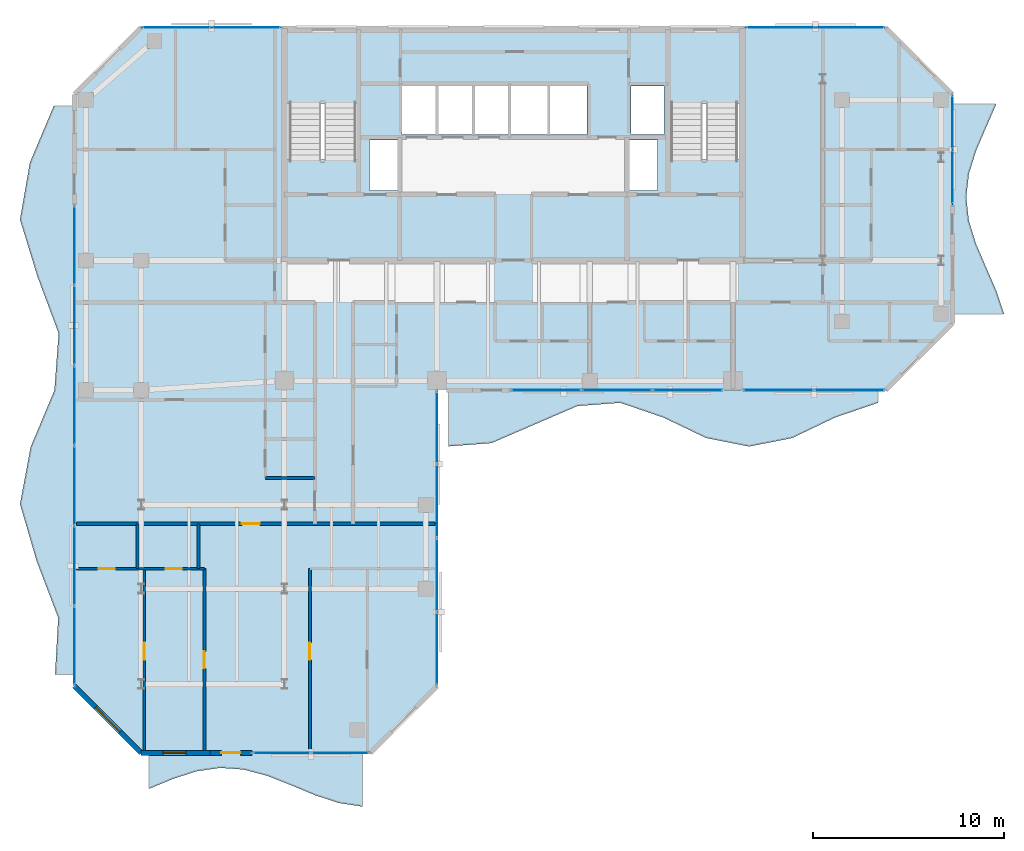
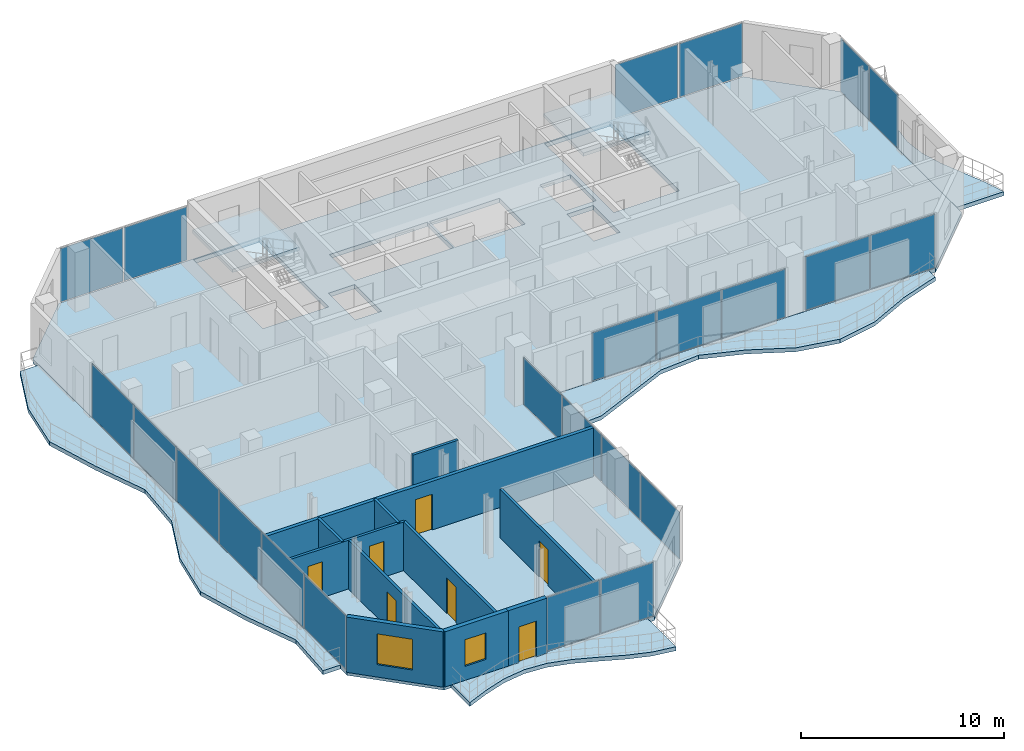
# One storey, part 17 of 24: 23 plates, 11 walls, 7 doors, 7 slabs, 2 windows, 9 openings, 10 elements without a shape of their own.
"""IFC4 building model written with IfcOpenShell, lengths in metres."""

from ifc_helpers import new_model, si_unit, direction, frame, frame_2d, origin, origin_2d, place, context, subcontext, project, spatial, polyline, rectangle, outline, extrude, material, layer, layer_set, type_object, element, fill, aggregate, save


model = new_model("IFC4")

# Units and contexts
model_context = context("Model", 3, precision=1e-05, world=origin(), true_north=direction((0.0, 1.0)))
body_context = subcontext(model_context, "Body", "Model", "MODEL_VIEW")
ifc_project = project(units=[si_unit("LENGTHUNIT", "METRE"), si_unit("AREAUNIT", "SQUARE_METRE"), si_unit("VOLUMEUNIT", "CUBIC_METRE"), si_unit("PLANEANGLEUNIT", "RADIAN"), si_unit("MASSUNIT", "GRAM", prefix="KILO")], contexts=[model_context])

# Site, building, storey
site_placement = place(None, origin())
site = spatial("IfcSite", under=ifc_project, at=site_placement, CompositionType="ELEMENT")
building_placement = place(site_placement, origin())
building = spatial("IfcBuilding", under=site, at=building_placement, Name="Catumbela Crestline Tower", CompositionType="ELEMENT")
storey_placement = place(building_placement, frame((0.0, 0.0, 161.4)))
storey = spatial("IfcBuildingStorey", under=building, at=storey_placement, Name="L41", CompositionType="ELEMENT", Elevation=161.4)

# Curtain wall, plates
ifc_material_1 = material(Name="Aluminium alloy AW-6060-T66", Category="aluminium")
ifc_layer_1 = layer(ifc_material_1, 0.18, Name="Aluminium alloy AW-6060-T66")
ifc_layer_set_1 = layer_set([ifc_layer_1], Name="Aluminium alloy AW-6060-T66")
curtain_wall_type = type_object("IfcCurtainWallType", Name="CWU-Z3", PredefinedType="USERDEFINED", material=ifc_layer_set_1)
curtain_wall_1_placement = place(storey_placement, origin())
curtain_wall_1 = element("IfcCurtainWall", 1, at=curtain_wall_1_placement, inside=storey, type_object=curtain_wall_type, Name="L41 Unitised Curtain Wall CW-L41-E0S2", ObjectType="UNITISED", PredefinedType="USERDEFINED")
ifc_material_2 = material(Name="Low-E laminated solar-control double glazing", Category="glass")
ifc_layer_2 = layer(ifc_material_2, 0.036, Name="Low-E laminated solar-control double glazing")
ifc_layer_set_2 = layer_set([ifc_layer_2], Name="Low-E laminated solar-control double glazing")
plate_type = type_object("IfcPlateType", Name="PNL-GLZ-Z3", PredefinedType="CURTAIN_PANEL", material=ifc_layer_set_2)
plate_1_placement = place(storey_placement, frame((15.8662, 5.0, 0.06), z_axis=(0.0, 0.0, 1.0), x_axis=(1.0, 0.0, 0.0)))
plate_1 = element("IfcPlate", 2, at=plate_1_placement, type_object=plate_type, Name="CWU-Z3 panel 1.1", PredefinedType="CURTAIN_PANEL", context=body_context, shape_type="SweptSolid", body=[
    extrude(rectangle(XDim=3.0025, YDim=0.034, at=origin_2d()), origin(), (0.0, 0.0, 1.0), 3.21),
])
plate_2_placement = place(storey_placement, frame((18.9338, 5.0, 0.06), z_axis=(0.0, 0.0, 1.0), x_axis=(1.0, 0.0, 0.0)))
plate_2 = element("IfcPlate", 3, at=plate_2_placement, type_object=plate_type, Name="CWU-Z3 panel 2.1", PredefinedType="CURTAIN_PANEL", context=body_context, shape_type="SweptSolid", body=[
    extrude(rectangle(XDim=3.0025, YDim=0.034, at=origin_2d()), origin(), (0.0, 0.0, 1.0), 3.21),
])
aggregate(curtain_wall_1, [plate_1, plate_2])

curtain_wall_2_placement = place(storey_placement, origin())
curtain_wall_2 = element("IfcCurtainWall", 4, at=curtain_wall_2_placement, inside=storey, type_object=curtain_wall_type, Name="L41 Unitised Curtain Wall CW-L41-E2S1", ObjectType="UNITISED", PredefinedType="USERDEFINED")
plate_3_placement = place(storey_placement, frame((24.0, 10.4538, 0.06), z_axis=(0.0, 0.0, 1.0), x_axis=(0.0, 1.0, 0.0)))
plate_3 = element("IfcPlate", 5, at=plate_3_placement, type_object=plate_type, Name="CWU-Z3 panel 1.1", PredefinedType="CURTAIN_PANEL", context=body_context, shape_type="SweptSolid", body=[
    extrude(rectangle(XDim=3.7775, YDim=0.034, at=origin_2d()), origin(), (0.0, 0.0, 1.0), 2.81),
])
plate_4_placement = place(storey_placement, frame((24.0, 14.3125, 0.06), z_axis=(0.0, 0.0, 1.0), x_axis=(0.0, 1.0, 0.0)))
plate_4 = element("IfcPlate", 6, at=plate_4_placement, type_object=plate_type, Name="CWU-Z3 panel 2.1", PredefinedType="CURTAIN_PANEL", context=body_context, shape_type="SweptSolid", body=[
    extrude(rectangle(XDim=3.81, YDim=0.034, at=origin_2d()), origin(), (0.0, 0.0, 1.0), 2.81),
])
plate_5_placement = place(storey_placement, frame((24.0, 18.1875, 0.06), z_axis=(0.0, 0.0, 1.0), x_axis=(0.0, 1.0, 0.0)))
plate_5 = element("IfcPlate", 7, at=plate_5_placement, type_object=plate_type, Name="CWU-Z3 panel 3.1", PredefinedType="CURTAIN_PANEL", context=body_context, shape_type="SweptSolid", body=[
    extrude(rectangle(XDim=3.81, YDim=0.034, at=origin_2d()), origin(), (0.0, 0.0, 1.0), 2.81),
])
plate_6_placement = place(storey_placement, frame((24.0, 22.0462, 0.06), z_axis=(0.0, 0.0, 1.0), x_axis=(0.0, 1.0, 0.0)))
plate_6 = element("IfcPlate", 8, at=plate_6_placement, type_object=plate_type, Name="CWU-Z3 panel 4.1", PredefinedType="CURTAIN_PANEL", context=body_context, shape_type="SweptSolid", body=[
    extrude(rectangle(XDim=3.7775, YDim=0.034, at=origin_2d()), origin(), (0.0, 0.0, 1.0), 2.81),
])
aggregate(curtain_wall_2, [plate_3, plate_4, plate_5, plate_6])

curtain_wall_3_placement = place(storey_placement, origin())
curtain_wall_3 = element("IfcCurtainWall", 9, at=curtain_wall_3_placement, inside=storey, type_object=curtain_wall_type, Name="L41 Unitised Curtain Wall CW-L41-E3S2", ObjectType="UNITISED", PredefinedType="USERDEFINED")
plate_7_placement = place(storey_placement, frame((29.7246, 24.0, 0.06), z_axis=(0.0, 0.0, 1.0), x_axis=(1.0, 0.0, 0.0)))
plate_7 = element("IfcPlate", 10, at=plate_7_placement, type_object=plate_type, Name="CWU-Z3 panel 1.1", PredefinedType="CURTAIN_PANEL", context=body_context, shape_type="SweptSolid", body=[
    extrude(rectangle(XDim=3.6192, YDim=0.034, at=origin_2d()), origin(), (0.0, 0.0, 1.0), 2.89),
])
plate_8_placement = place(storey_placement, frame((33.425, 24.0, 0.06), z_axis=(0.0, 0.0, 1.0), x_axis=(1.0, 0.0, 0.0)))
plate_8 = element("IfcPlate", 11, at=plate_8_placement, type_object=plate_type, Name="CWU-Z3 panel 2.1", PredefinedType="CURTAIN_PANEL", context=body_context, shape_type="SweptSolid", body=[
    extrude(rectangle(XDim=3.6517, YDim=0.034, at=origin_2d()), origin(), (0.0, 0.0, 1.0), 2.89),
])
plate_9_placement = place(storey_placement, frame((37.1254, 24.0, 0.06), z_axis=(0.0, 0.0, 1.0), x_axis=(1.0, 0.0, 0.0)))
plate_9 = element("IfcPlate", 12, at=plate_9_placement, type_object=plate_type, Name="CWU-Z3 panel 3.1", PredefinedType="CURTAIN_PANEL", context=body_context, shape_type="SweptSolid", body=[
    extrude(rectangle(XDim=3.6192, YDim=0.034, at=origin_2d()), origin(), (0.0, 0.0, 1.0), 2.89),
])
aggregate(curtain_wall_3, [plate_7, plate_8, plate_9])

curtain_wall_4_placement = place(storey_placement, origin())
curtain_wall_4 = element("IfcCurtainWall", 13, at=curtain_wall_4_placement, inside=storey, type_object=curtain_wall_type, Name="L41 Unitised Curtain Wall CW-L41-E3S3", ObjectType="UNITISED", PredefinedType="USERDEFINED")
plate_10_placement = place(storey_placement, frame((41.8912, 24.0, 0.06), z_axis=(0.0, 0.0, 1.0), x_axis=(1.0, 0.0, 0.0)))
plate_10 = element("IfcPlate", 14, at=plate_10_placement, type_object=plate_type, Name="CWU-Z3 panel 1.1", PredefinedType="CURTAIN_PANEL", context=body_context, shape_type="SweptSolid", body=[
    extrude(rectangle(XDim=3.6525, YDim=0.034, at=origin_2d()), origin(), (0.0, 0.0, 1.0), 3.21),
])
plate_11_placement = place(storey_placement, frame((45.6088, 24.0, 0.06), z_axis=(0.0, 0.0, 1.0), x_axis=(1.0, 0.0, 0.0)))
plate_11 = element("IfcPlate", 15, at=plate_11_placement, type_object=plate_type, Name="CWU-Z3 panel 2.1", PredefinedType="CURTAIN_PANEL", context=body_context, shape_type="SweptSolid", body=[
    extrude(rectangle(XDim=3.6525, YDim=0.034, at=origin_2d()), origin(), (0.0, 0.0, 1.0), 3.21),
])
aggregate(curtain_wall_4, [plate_10, plate_11])

curtain_wall_5_placement = place(storey_placement, origin())
curtain_wall_5 = element("IfcCurtainWall", 16, at=curtain_wall_5_placement, inside=storey, type_object=curtain_wall_type, Name="L41 Unitised Curtain Wall CW-L41-E5S2", ObjectType="UNITISED", PredefinedType="USERDEFINED")
plate_12_placement = place(storey_placement, frame((51.0, 35.1662, 0.06), z_axis=(0.0, 0.0, 1.0), x_axis=(0.0, 1.0, 0.0)))
plate_12 = element("IfcPlate", 17, at=plate_12_placement, type_object=plate_type, Name="CWU-Z3 panel 1.1", PredefinedType="CURTAIN_PANEL", context=body_context, shape_type="SweptSolid", body=[
    extrude(rectangle(XDim=2.8025, YDim=0.034, at=origin_2d()), origin(), (0.0, 0.0, 1.0), 3.21),
])
plate_13_placement = place(storey_placement, frame((51.0, 38.0338, 0.06), z_axis=(0.0, 0.0, 1.0), x_axis=(0.0, 1.0, 0.0)))
plate_13 = element("IfcPlate", 18, at=plate_13_placement, type_object=plate_type, Name="CWU-Z3 panel 2.1", PredefinedType="CURTAIN_PANEL", context=body_context, shape_type="SweptSolid", body=[
    extrude(rectangle(XDim=2.8025, YDim=0.034, at=origin_2d()), origin(), (0.0, 0.0, 1.0), 3.21),
])
aggregate(curtain_wall_5, [plate_12, plate_13])

curtain_wall_6_placement = place(storey_placement, origin())
curtain_wall_6 = element("IfcCurtainWall", 19, at=curtain_wall_6_placement, inside=storey, type_object=curtain_wall_type, Name="L41 Unitised Curtain Wall CW-L41-E7S1", ObjectType="UNITISED", PredefinedType="USERDEFINED")
plate_14_placement = place(storey_placement, frame((45.6438, 43.0, 0.06), z_axis=(0.0, 0.0, 1.0), x_axis=(-1.0, 0.0, 0.0)))
plate_14 = element("IfcPlate", 20, at=plate_14_placement, type_object=plate_type, Name="CWU-Z3 panel 1.1", PredefinedType="CURTAIN_PANEL", context=body_context, shape_type="SweptSolid", body=[
    extrude(rectangle(XDim=3.5825, YDim=0.034, at=origin_2d()), origin(), (0.0, 0.0, 1.0), 3.21),
])
plate_15_placement = place(storey_placement, frame((41.9963, 43.0, 0.06), z_axis=(0.0, 0.0, 1.0), x_axis=(-1.0, 0.0, 0.0)))
plate_15 = element("IfcPlate", 21, at=plate_15_placement, type_object=plate_type, Name="CWU-Z3 panel 2.1", PredefinedType="CURTAIN_PANEL", context=body_context, shape_type="SweptSolid", body=[
    extrude(rectangle(XDim=3.5825, YDim=0.034, at=origin_2d()), origin(), (0.0, 0.0, 1.0), 3.21),
])
aggregate(curtain_wall_6, [plate_14, plate_15])

curtain_wall_7_placement = place(storey_placement, origin())
curtain_wall_7 = element("IfcCurtainWall", 22, at=curtain_wall_7_placement, inside=storey, type_object=curtain_wall_type, Name="L41 Unitised Curtain Wall CW-L41-E7S2", ObjectType="UNITISED", PredefinedType="USERDEFINED")
plate_16_placement = place(storey_placement, frame((14.0038, 43.0, 0.06), z_axis=(0.0, 0.0, 1.0), x_axis=(-1.0, 0.0, 0.0)))
plate_16 = element("IfcPlate", 23, at=plate_16_placement, type_object=plate_type, Name="CWU-Z3 panel 1.1", PredefinedType="CURTAIN_PANEL", context=body_context, shape_type="SweptSolid", body=[
    extrude(rectangle(XDim=3.5825, YDim=0.034, at=origin_2d()), origin(), (0.0, 0.0, 1.0), 3.21),
])
plate_17_placement = place(storey_placement, frame((10.3562, 43.0, 0.06), z_axis=(0.0, 0.0, 1.0), x_axis=(-1.0, 0.0, 0.0)))
plate_17 = element("IfcPlate", 24, at=plate_17_placement, type_object=plate_type, Name="CWU-Z3 panel 2.1", PredefinedType="CURTAIN_PANEL", context=body_context, shape_type="SweptSolid", body=[
    extrude(rectangle(XDim=3.5825, YDim=0.034, at=origin_2d()), origin(), (0.0, 0.0, 1.0), 3.21),
])
aggregate(curtain_wall_7, [plate_16, plate_17])

curtain_wall_8_placement = place(storey_placement, origin())
curtain_wall_8 = element("IfcCurtainWall", 25, at=curtain_wall_8_placement, inside=storey, type_object=curtain_wall_type, Name="L41 Unitised Curtain Wall CW-L41-E9S2", ObjectType="UNITISED", PredefinedType="USERDEFINED")
plate_18_placement = place(storey_placement, frame((5.0, 31.5838, 0.06), z_axis=(0.0, 0.0, 1.0), x_axis=(0.0, -1.0, 0.0)))
plate_18 = element("IfcPlate", 26, at=plate_18_placement, type_object=plate_type, Name="CWU-Z3 panel 1.1", PredefinedType="CURTAIN_PANEL", context=body_context, shape_type="SweptSolid", body=[
    extrude(rectangle(XDim=4.1025, YDim=0.034, at=origin_2d()), origin(), (0.0, 0.0, 1.0), 3.21),
])
plate_19_placement = place(storey_placement, frame((5.0, 27.4, 0.06), z_axis=(0.0, 0.0, 1.0), x_axis=(0.0, -1.0, 0.0)))
plate_19 = element("IfcPlate", 27, at=plate_19_placement, type_object=plate_type, Name="CWU-Z3 panel 2.1", PredefinedType="CURTAIN_PANEL", context=body_context, shape_type="SweptSolid", body=[
    extrude(rectangle(XDim=4.135, YDim=0.034, at=origin_2d()), origin(), (0.0, 0.0, 1.0), 3.21),
])
plate_20_placement = place(storey_placement, frame((5.0, 23.2, 0.06), z_axis=(0.0, 0.0, 1.0), x_axis=(0.0, -1.0, 0.0)))
plate_20 = element("IfcPlate", 28, at=plate_20_placement, type_object=plate_type, Name="CWU-Z3 panel 3.1", PredefinedType="CURTAIN_PANEL", context=body_context, shape_type="SweptSolid", body=[
    extrude(rectangle(XDim=4.135, YDim=0.034, at=origin_2d()), origin(), (0.0, 0.0, 1.0), 3.21),
])
plate_21_placement = place(storey_placement, frame((5.0, 19.0, 0.06), z_axis=(0.0, 0.0, 1.0), x_axis=(0.0, -1.0, 0.0)))
plate_21 = element("IfcPlate", 29, at=plate_21_placement, type_object=plate_type, Name="CWU-Z3 panel 4.1", PredefinedType="CURTAIN_PANEL", context=body_context, shape_type="SweptSolid", body=[
    extrude(rectangle(XDim=4.135, YDim=0.034, at=origin_2d()), origin(), (0.0, 0.0, 1.0), 3.21),
])
plate_22_placement = place(storey_placement, frame((5.0, 14.8, 0.06), z_axis=(0.0, 0.0, 1.0), x_axis=(0.0, -1.0, 0.0)))
plate_22 = element("IfcPlate", 30, at=plate_22_placement, type_object=plate_type, Name="CWU-Z3 panel 5.1", PredefinedType="CURTAIN_PANEL", context=body_context, shape_type="SweptSolid", body=[
    extrude(rectangle(XDim=4.135, YDim=0.034, at=origin_2d()), origin(), (0.0, 0.0, 1.0), 3.21),
])
plate_23_placement = place(storey_placement, frame((5.0, 10.6163, 0.06), z_axis=(0.0, 0.0, 1.0), x_axis=(0.0, -1.0, 0.0)))
plate_23 = element("IfcPlate", 31, at=plate_23_placement, type_object=plate_type, Name="CWU-Z3 panel 6.1", PredefinedType="CURTAIN_PANEL", context=body_context, shape_type="SweptSolid", body=[
    extrude(rectangle(XDim=4.1025, YDim=0.034, at=origin_2d()), origin(), (0.0, 0.0, 1.0), 3.21),
])
aggregate(curtain_wall_8, [plate_18, plate_19, plate_20, plate_21, plate_22, plate_23])

# Stair, slab
ifc_material_3 = material(Name="Concrete C45/55", Category="concrete")
stair_type = type_object("IfcStairType", Name="ST-DLG", PredefinedType="HALF_TURN_STAIR", material=ifc_material_3)
stair_1_placement = place(storey_placement, origin())
stair_1 = element("IfcStair", 32, at=stair_1_placement, inside=storey, type_object=stair_type, Name="L41 West Core Pressurised Exit Stair ST-01", PredefinedType="HALF_TURN_STAIR")
ifc_layer_3 = layer(ifc_material_3, 0.2, Name="Concrete C45/55")
ifc_layer_set_3 = layer_set([ifc_layer_3], Name="Concrete C45/55")
slab_type_1 = type_object("IfcSlabType", Name="SL-LND", PredefinedType="LANDING", material=ifc_layer_set_3)
slab_1_placement = place(storey_placement, frame((0.0, 0.0, 1.6)))
slab_1 = element("IfcSlab", 33, at=slab_1_placement, type_object=slab_type_1, Name="ST-01 landing 1", PredefinedType="LANDING", context=body_context, shape_type="SweptSolid", body=[
    extrude(outline(polyline([(19.91, 39.02), (19.91, 42.96), (16.09, 42.96), (16.09, 39.02), (19.91, 39.02)])), origin(), (0.0, 0.0, 1.0), 0.2),
])
aggregate(stair_1, [slab_1])

stair_2_placement = place(storey_placement, origin())
stair_2 = element("IfcStair", 34, at=stair_2_placement, inside=storey, type_object=stair_type, Name="L41 East Core Pressurised Exit Stair ST-02", PredefinedType="HALF_TURN_STAIR")
slab_2_placement = place(storey_placement, frame((0.0, 0.0, 1.6)))
slab_2 = element("IfcSlab", 35, at=slab_2_placement, type_object=slab_type_1, Name="ST-02 landing 1", PredefinedType="LANDING", context=body_context, shape_type="SweptSolid", body=[
    extrude(outline(polyline([(39.91, 39.02), (39.91, 42.96), (36.09, 42.96), (36.09, 39.02), (39.91, 39.02)])), origin(), (0.0, 0.0, 1.0), 0.2),
])
aggregate(stair_2, [slab_2])

# Slabs
ifc_layer_4 = layer(ifc_material_3, 0.26, Name="Concrete C45/55")
ifc_layer_set_4 = layer_set([ifc_layer_4], Name="Concrete C45/55")
slab_type_2 = type_object("IfcSlabType", Name="SL-260", PredefinedType="FLOOR", material=ifc_layer_set_4)
slab_3_placement = place(storey_placement, frame((0.0, 0.0, -0.26)))
element("IfcSlab", 36, at=slab_3_placement, inside=storey, type_object=slab_type_2, Name="L41 Structural Floor Slab", PredefinedType="FLOOR", context=body_context, shape_type="SweptSolid", body=[
    extrude(outline(polyline([(8.5, 5.0), (20.5, 5.0), (24.0, 8.5), (24.0, 24.0), (47.5, 24.0), (51.0, 27.5), (51.0, 39.5), (47.5, 43.0), (8.5, 43.0), (5.0, 39.5), (5.0, 8.5), (8.5, 5.0)]), holes=[polyline([(16.13, 36.08), (19.87, 36.08), (19.87, 42.92), (16.13, 42.92), (16.13, 36.08)]), polyline([(36.13, 36.08), (39.87, 36.08), (39.87, 42.92), (36.13, 42.92), (36.13, 36.08)]), polyline([(22.15, 37.4), (27.75, 37.4), (27.75, 39.95), (22.15, 39.95), (22.15, 37.4)]), polyline([(27.85, 37.4), (31.85, 37.4), (31.85, 39.95), (27.85, 39.95), (27.85, 37.4)]), polyline([(20.45, 34.45), (21.95, 34.45), (21.95, 37.1), (20.45, 37.1), (20.45, 34.45)]), polyline([(34.05, 34.45), (35.55, 34.45), (35.55, 37.1), (34.05, 37.1), (34.05, 34.45)]), polyline([(34.15, 37.4), (35.9, 37.4), (35.9, 39.95), (34.15, 39.95), (34.15, 37.4)])]), origin(), (0.0, 0.0, 1.0), 0.26),
])
ifc_layer_5 = layer(ifc_material_3, 0.24, Name="Concrete C45/55")
ifc_layer_set_5 = layer_set([ifc_layer_5], Name="Concrete C45/55")
slab_type_3 = type_object("IfcSlabType", Name="SB-240W", PredefinedType="USERDEFINED", material=ifc_layer_set_5)
slab_4_placement = place(storey_placement, frame((0.0, 0.0, -0.24)))
element("IfcSlab", 37, at=slab_4_placement, inside=storey, type_object=slab_type_3, Name="L41 Cantilevered Wave Balcony Slab SPINE-S", ObjectType="BALCONY", PredefinedType="USERDEFINED", context=body_context, shape_type="SweptSolid", body=[
    extrude(outline(polyline([(24.6, 21.0587), (26.85, 21.2292), (29.1, 22.2), (31.35, 23.1708), (33.6, 23.3413), (35.85, 22.5708), (38.1, 21.4947), (40.35, 21.05), (42.6, 21.4947), (44.85, 22.5708), (47.1, 23.3413), (47.1, 23.99), (24.6, 23.99), (24.6, 21.0587)])), origin(), (0.0, 0.0, 1.0), 0.24),
])
slab_5_placement = place(storey_placement, frame((0.0, 0.0, -0.24)))
element("IfcSlab", 38, at=slab_5_placement, inside=storey, type_object=slab_type_3, Name="L41 Cantilevered Wave Balcony Slab SPINE-E", ObjectType="BALCONY", PredefinedType="USERDEFINED", context=body_context, shape_type="SweptSolid", body=[
    extrude(outline(polyline([(51.01, 28.0), (53.6999, 28.0), (53.292, 29.2222), (52.7579, 30.4444), (52.2346, 31.6667), (51.8563, 32.8889), (51.72, 34.1111), (51.8606, 35.3333), (52.2421, 36.5556), (52.7667, 37.7778), (53.2998, 39.0), (51.01, 39.0), (51.01, 28.0)])), origin(), (0.0, 0.0, 1.0), 0.24),
])
slab_6_placement = place(storey_placement, frame((0.0, 0.0, -0.24)))
element("IfcSlab", 39, at=slab_6_placement, inside=storey, type_object=slab_type_3, Name="L41 Cantilevered Wave Balcony Slab WING-S", ObjectType="BALCONY", PredefinedType="USERDEFINED", context=body_context, shape_type="SweptSolid", body=[
    extrude(outline(polyline([(8.9, 3.1134), (10.1444, 3.6311), (11.3889, 4.0342), (12.6333, 4.2157), (13.8778, 4.1274), (15.1222, 3.7928), (16.3667, 3.3007), (17.6111, 2.7819), (18.8556, 2.3741), (20.1, 2.1857), (20.1, 4.99), (8.9, 4.99), (8.9, 3.1134)])), origin(), (0.0, 0.0, 1.0), 0.24),
])
slab_7_placement = place(storey_placement, frame((0.0, 0.0, -0.24)))
element("IfcSlab", 40, at=slab_7_placement, inside=storey, type_object=slab_type_3, Name="L41 Cantilevered Wave Balcony Slab WEST", ObjectType="BALCONY", PredefinedType="USERDEFINED", context=body_context, shape_type="SweptSolid", body=[
    extrude(outline(polyline([(4.99, 38.9), (3.9212, 38.9), (2.6662, 35.92), (2.15, 32.94), (3.062, 29.96), (4.1722, 26.98), (3.9543, 24.0), (2.706, 21.02), (2.15, 18.04), (3.0173, 15.06), (4.1516, 12.08), (3.986, 9.1), (4.99, 9.1), (4.99, 38.9)])), origin(), (0.0, 0.0, 1.0), 0.24),
])

# Wall, opening, door
ifc_material_4 = material(Name="Angolan grey-ochre granite", Category="masonry")
ifc_layer_6 = layer(ifc_material_4, 0.25, Name="Angolan grey-ochre granite")
ifc_layer_set_6 = layer_set([ifc_layer_6], Name="Angolan grey-ochre granite")
wall_type_1 = type_object("IfcWallType", Name="WE-250", PredefinedType="STANDARD", material=ifc_layer_set_6)
wall_1_placement = place(storey_placement, frame((12.1, 5.0, 0.0), z_axis=(0.0, 0.0, 1.0), x_axis=(1.0, 0.0, 0.0)))
wall_1 = element("IfcWall", 41, at=wall_1_placement, inside=storey, type_object=wall_type_1, Name="L41 Exterior Threshold Portal Wall DR-L41-WBAL-3", PredefinedType="STANDARD", context=body_context, shape_type="SweptSolid", body=[
    extrude(rectangle(XDim=2.2, YDim=0.25, at=frame_2d((1.1, 0.0))), origin(), (0.0, 0.0, 1.0), 3.33),
])
opening_1_placement = place(wall_1_placement, frame((0.6, 0.0, 0.0)))
opening_1 = element("IfcOpeningElement", 42, at=opening_1_placement, cuts=wall_1, Name="Opening DB-L41-3", PredefinedType="OPENING", context=body_context, shape_type="SweptSolid", body=[
    extrude(rectangle(XDim=1.0, YDim=2.15, at=frame_2d((0.5, 1.075))), frame((0.0, 0.135, 0.0), z_axis=(0.0, -1.0, 0.0), x_axis=(1.0, 0.0, 0.0)), (0.0, 0.0, 1.0), 0.27),
])
door_type_1 = type_object("IfcDoorType", Name="DB-1000", OperationType="NOTDEFINED", PredefinedType="DOOR", material=ifc_material_1)
door_1_placement = place(opening_1_placement, origin())
door_1 = element("IfcDoor", 43, at=door_1_placement, inside=storey, type_object=door_type_1, Name="L41 Wave Balcony Terrace Door 3", OperationType="SINGLE_SWING_LEFT", OverallHeight=2.15, OverallWidth=1.0, PredefinedType="DOOR", context=body_context, shape_type="SweptSolid", body=[
    extrude(rectangle(XDim=1.0, YDim=2.15, at=frame_2d((0.5, 1.075))), frame((0.0, 0.025, 0.0), z_axis=(0.0, -1.0, 0.0), x_axis=(1.0, 0.0, 0.0)), (0.0, 0.0, 1.0), 0.05),
])
fill(opening_1, door_1)

# Wall, opening, window
wall_2_placement = place(storey_placement, frame((8.5, 5.0, 0.0), z_axis=(0.0, 0.0, 1.0), x_axis=(1.0, 0.0, 0.0)))
wall_2 = element("IfcWall", 44, at=wall_2_placement, inside=storey, type_object=wall_type_1, Name="L41 Granite Punched Window Wall 0-1", PredefinedType="STANDARD", context=body_context, shape_type="SweptSolid", body=[
    extrude(rectangle(XDim=3.6, YDim=0.25, at=frame_2d((1.8, 0.0))), origin(), (0.0, 0.0, 1.0), 3.33),
])
opening_2_placement = place(wall_2_placement, frame((1.135, 0.0, 0.85)))
opening_2 = element("IfcOpeningElement", 45, at=opening_2_placement, cuts=wall_2, Name="Opening WN-02", PredefinedType="OPENING", context=body_context, shape_type="SweptSolid", body=[
    extrude(rectangle(XDim=1.2, YDim=1.6, at=frame_2d((0.6, 0.8))), frame((0.0, 0.135, 0.0), z_axis=(0.0, -1.0, 0.0), x_axis=(1.0, 0.0, 0.0)), (0.0, 0.0, 1.0), 0.27),
])
window_type_1 = type_object("IfcWindowType", Name="WO-1200", PartitioningType="SINGLE_PANEL", PredefinedType="WINDOW", material=ifc_material_2)
window_1_placement = place(opening_2_placement, origin())
window_1 = element("IfcWindow", 46, at=window_1_placement, inside=storey, type_object=window_type_1, Name="L41 Facade Vision Window 236", OverallHeight=1.6, OverallWidth=1.2, PartitioningType="SINGLE_PANEL", PredefinedType="WINDOW", context=body_context, shape_type="SweptSolid", body=[
    extrude(rectangle(XDim=1.2, YDim=1.6, at=frame_2d((0.6, 0.8))), frame((0.0, 0.03, 0.0), z_axis=(0.0, -1.0, 0.0), x_axis=(1.0, 0.0, 0.0)), (0.0, 0.0, 1.0), 0.06),
])
fill(opening_2, window_1)

wall_3_placement = place(storey_placement, frame((5.0, 8.5, 0.0), z_axis=(0.0, 0.0, 1.0), x_axis=(0.707106781187, -0.707106781187, 0.0)))
wall_3 = element("IfcWall", 47, at=wall_3_placement, inside=storey, type_object=wall_type_1, Name="L41 Granite Punched Window Wall 10-1", PredefinedType="STANDARD", context=body_context, shape_type="SweptSolid", body=[
    extrude(rectangle(XDim=4.9497, YDim=0.25, at=frame_2d((2.4748, 0.0))), origin(), (0.0, 0.0, 1.0), 3.33),
])
opening_3_placement = place(wall_3_placement, frame((1.5749, 0.0, 0.75)))
opening_3 = element("IfcOpeningElement", 48, at=opening_3_placement, cuts=wall_3, Name="Opening WN-01", PredefinedType="OPENING", context=body_context, shape_type="SweptSolid", body=[
    extrude(rectangle(XDim=1.8, YDim=1.85, at=frame_2d((0.9, 0.925))), frame((0.0, 0.135, 0.0), z_axis=(0.0, -1.0, 0.0), x_axis=(1.0, 0.0, 0.0)), (0.0, 0.0, 1.0), 0.27),
])
window_type_2 = type_object("IfcWindowType", Name="WF-1800", PartitioningType="SINGLE_PANEL", PredefinedType="WINDOW", material=ifc_material_2)
window_2_placement = place(opening_3_placement, origin())
window_2 = element("IfcWindow", 49, at=window_2_placement, inside=storey, type_object=window_type_2, Name="L41 Facade Vision Window 243", OverallHeight=1.85, OverallWidth=1.8, PartitioningType="SINGLE_PANEL", PredefinedType="WINDOW", context=body_context, shape_type="SweptSolid", body=[
    extrude(rectangle(XDim=1.8, YDim=1.85, at=frame_2d((0.9, 0.925))), frame((0.0, 0.03, 0.0), z_axis=(0.0, -1.0, 0.0), x_axis=(1.0, 0.0, 0.0)), (0.0, 0.0, 1.0), 0.06),
])
fill(opening_3, window_2)

# Walls
ifc_material_5 = material(Name="Acoustic gypsum and mineral-wool partition")
ifc_layer_7 = layer(ifc_material_5, 0.15, Name="Acoustic gypsum and mineral-wool partition")
ifc_layer_set_7 = layer_set([ifc_layer_7], Name="Acoustic gypsum and mineral-wool partition")
wall_type_2 = type_object("IfcWallType", Name="WP-150", PredefinedType="PARTITIONING", material=ifc_layer_set_7)
wall_4_placement = place(storey_placement, frame((15.0, 19.396, 0.0), z_axis=(0.0, 0.0, 1.0), x_axis=(1.0, 0.0, 0.0)))
element("IfcWall", 50, at=wall_4_placement, inside=storey, type_object=wall_type_2, Name="L41 Interior Partition PW-L41-WL1-KBS", PredefinedType="PARTITIONING", context=body_context, shape_type="SweptSolid", body=[
    extrude(rectangle(XDim=2.6, YDim=0.15, at=frame_2d((1.3, 0.0))), origin(), (0.0, 0.0, 1.0), 2.93),
])
wall_5_placement = place(storey_placement, frame((11.5, 14.65, 0.0), z_axis=(0.0, 0.0, 1.0), x_axis=(0.0, 1.0, 0.0)))
element("IfcWall", 51, at=wall_5_placement, inside=storey, type_object=wall_type_2, Name="L41 Interior Partition PW-L41-SH1-KBE", PredefinedType="PARTITIONING", context=body_context, shape_type="SweptSolid", body=[
    extrude(rectangle(XDim=2.35, YDim=0.15, at=frame_2d((1.175, 0.0))), origin(), (0.0, 0.0, 1.0), 2.96),
])
wall_6_placement = place(storey_placement, frame((8.3, 14.65, 0.0), z_axis=(0.0, 0.0, 1.0), x_axis=(0.0, 1.0, 0.0)))
element("IfcWall", 52, at=wall_6_placement, inside=storey, type_object=wall_type_2, Name="L41 Interior Partition PW-L41-SH1-KBM", PredefinedType="PARTITIONING", context=body_context, shape_type="SweptSolid", body=[
    extrude(rectangle(XDim=2.35, YDim=0.15, at=frame_2d((1.175, 0.0))), origin(), (0.0, 0.0, 1.0), 2.93),
])

# Wall, openings, doors
wall_7_placement = place(storey_placement, frame((5.1, 14.65, 0.0), z_axis=(0.0, 0.0, 1.0), x_axis=(1.0, 0.0, 0.0)))
wall_7 = element("IfcWall", 53, at=wall_7_placement, inside=storey, type_object=wall_type_2, Name="L41 Interior Partition PW-L41-SH1-KBD1", PredefinedType="PARTITIONING", context=body_context, shape_type="SweptSolid", body=[
    extrude(rectangle(XDim=6.71, YDim=0.15, at=frame_2d((3.355, 0.0))), origin(), (0.0, 0.0, 1.0), 2.93),
])
opening_4_placement = place(wall_7_placement, frame((1.175, 0.0, 0.0)))
opening_4 = element("IfcOpeningElement", 54, at=opening_4_placement, cuts=wall_7, Name="Opening DI-085", PredefinedType="OPENING", context=body_context, shape_type="SweptSolid", body=[
    extrude(rectangle(XDim=0.85, YDim=2.15, at=frame_2d((0.425, 1.075))), frame((0.0, 0.085, 0.0), z_axis=(0.0, -1.0, 0.0), x_axis=(1.0, 0.0, 0.0)), (0.0, 0.0, 1.0), 0.17),
])
opening_5_placement = place(wall_7_placement, frame((4.6795, 0.0, 0.0)))
opening_5 = element("IfcOpeningElement", 55, at=opening_5_placement, cuts=wall_7, Name="Opening DI-085", PredefinedType="OPENING", context=body_context, shape_type="SweptSolid", body=[
    extrude(rectangle(XDim=0.85, YDim=2.15, at=frame_2d((0.425, 1.075))), frame((0.0, 0.085, 0.0), z_axis=(0.0, -1.0, 0.0), x_axis=(1.0, 0.0, 0.0)), (0.0, 0.0, 1.0), 0.17),
])
door_type_2 = type_object("IfcDoorType", Name="DI-085", OperationType="NOTDEFINED", PredefinedType="DOOR", material=ifc_material_1)
door_2_placement = place(opening_4_placement, origin())
door_2 = element("IfcDoor", 56, at=door_2_placement, inside=storey, type_object=door_type_2, Name="L41 Interior Door DR-L41-SH1-KIT", OperationType="SINGLE_SWING_LEFT", OverallHeight=2.15, OverallWidth=0.85, PredefinedType="DOOR", context=body_context, shape_type="SweptSolid", body=[
    extrude(rectangle(XDim=0.85, YDim=2.15, at=frame_2d((0.425, 1.075))), frame((0.0, 0.025, 0.0), z_axis=(0.0, -1.0, 0.0), x_axis=(1.0, 0.0, 0.0)), (0.0, 0.0, 1.0), 0.05),
])
fill(opening_4, door_2)
door_3_placement = place(opening_5_placement, origin())
door_3 = element("IfcDoor", 57, at=door_3_placement, inside=storey, type_object=door_type_2, Name="L41 Interior Door DR-L41-SH1-BTH", OperationType="SINGLE_SWING_RIGHT", OverallHeight=2.15, OverallWidth=0.85, PredefinedType="DOOR", context=body_context, shape_type="SweptSolid", body=[
    extrude(rectangle(XDim=0.85, YDim=2.15, at=frame_2d((0.425, 1.075))), frame((0.0, 0.025, 0.0), z_axis=(0.0, -1.0, 0.0), x_axis=(1.0, 0.0, 0.0)), (0.0, 0.0, 1.0), 0.05),
])
fill(opening_5, door_3)

# Wall, opening, door
wall_8_placement = place(storey_placement, frame((8.66, 5.1, 0.0), z_axis=(0.0, 0.0, 1.0), x_axis=(0.0, 1.0, 0.0)))
wall_8 = element("IfcWall", 58, at=wall_8_placement, inside=storey, type_object=wall_type_2, Name="L41 Interior Partition PW-L41-SH1-BDL", PredefinedType="PARTITIONING", context=body_context, shape_type="SweptSolid", body=[
    extrude(rectangle(XDim=9.55, YDim=0.15, at=frame_2d((4.775, 0.0))), origin(), (0.0, 0.0, 1.0), 2.93),
])
opening_6_placement = place(wall_8_placement, frame((4.7789, 0.0, 0.0)))
opening_6 = element("IfcOpeningElement", 59, at=opening_6_placement, cuts=wall_8, Name="Opening DI-090", PredefinedType="OPENING", context=body_context, shape_type="SweptSolid", body=[
    extrude(rectangle(XDim=0.9, YDim=2.15, at=frame_2d((0.45, 1.075))), frame((0.0, 0.085, 0.0), z_axis=(0.0, -1.0, 0.0), x_axis=(1.0, 0.0, 0.0)), (0.0, 0.0, 1.0), 0.17),
])
door_type_3 = type_object("IfcDoorType", Name="DI-090", OperationType="NOTDEFINED", PredefinedType="DOOR", material=ifc_material_1)
door_4_placement = place(opening_6_placement, origin())
door_4 = element("IfcDoor", 60, at=door_4_placement, inside=storey, type_object=door_type_3, Name="L41 Interior Door DR-L41-SH1-BD1", OperationType="SINGLE_SWING_LEFT", OverallHeight=2.15, OverallWidth=0.9, PredefinedType="DOOR", context=body_context, shape_type="SweptSolid", body=[
    extrude(rectangle(XDim=0.9, YDim=2.15, at=frame_2d((0.45, 1.075))), frame((0.0, 0.025, 0.0), z_axis=(0.0, -1.0, 0.0), x_axis=(1.0, 0.0, 0.0)), (0.0, 0.0, 1.0), 0.05),
])
fill(opening_6, door_4)

wall_9_placement = place(storey_placement, frame((17.34, 5.1, 0.0), z_axis=(0.0, 0.0, 1.0), x_axis=(0.0, 1.0, 0.0)))
wall_9 = element("IfcWall", 61, at=wall_9_placement, inside=storey, type_object=wall_type_2, Name="L41 Interior Partition PW-L41-SH1-STW", PredefinedType="PARTITIONING", context=body_context, shape_type="SweptSolid", body=[
    extrude(rectangle(XDim=9.55, YDim=0.15, at=frame_2d((4.775, 0.0))), origin(), (0.0, 0.0, 1.0), 2.93),
])
opening_7_placement = place(wall_9_placement, frame((4.7789, 0.0, 0.0)))
opening_7 = element("IfcOpeningElement", 62, at=opening_7_placement, cuts=wall_9, Name="Opening DI-090", PredefinedType="OPENING", context=body_context, shape_type="SweptSolid", body=[
    extrude(rectangle(XDim=0.9, YDim=2.15, at=frame_2d((0.45, 1.075))), frame((0.0, 0.085, 0.0), z_axis=(0.0, -1.0, 0.0), x_axis=(1.0, 0.0, 0.0)), (0.0, 0.0, 1.0), 0.17),
])
door_5_placement = place(opening_7_placement, origin())
door_5 = element("IfcDoor", 63, at=door_5_placement, inside=storey, type_object=door_type_3, Name="L41 Interior Door DR-L41-SH1-STDY", OperationType="SINGLE_SWING_RIGHT", OverallHeight=2.15, OverallWidth=0.9, PredefinedType="DOOR", context=body_context, shape_type="SweptSolid", body=[
    extrude(rectangle(XDim=0.9, YDim=2.15, at=frame_2d((0.45, 1.075))), frame((0.0, 0.025, 0.0), z_axis=(0.0, -1.0, 0.0), x_axis=(1.0, 0.0, 0.0)), (0.0, 0.0, 1.0), 0.05),
])
fill(opening_7, door_5)

wall_10_placement = place(storey_placement, frame((11.81, 5.1, 0.0), z_axis=(0.0, 0.0, 1.0), x_axis=(0.0, 1.0, 0.0)))
wall_10 = element("IfcWall", 64, at=wall_10_placement, inside=storey, type_object=wall_type_2, Name="L41 Interior Partition PW-L41-SH1-DNW", PredefinedType="PARTITIONING", context=body_context, shape_type="SweptSolid", body=[
    extrude(rectangle(XDim=9.55, YDim=0.15, at=frame_2d((4.775, 0.0))), origin(), (0.0, 0.0, 1.0), 2.93),
])
opening_8_placement = place(wall_10_placement, frame((4.325, 0.0, 0.0)))
opening_8 = element("IfcOpeningElement", 65, at=opening_8_placement, cuts=wall_10, Name="Opening DI-090", PredefinedType="OPENING", context=body_context, shape_type="SweptSolid", body=[
    extrude(rectangle(XDim=0.9, YDim=2.15, at=frame_2d((0.45, 1.075))), frame((0.0, 0.085, 0.0), z_axis=(0.0, -1.0, 0.0), x_axis=(1.0, 0.0, 0.0)), (0.0, 0.0, 1.0), 0.17),
])
door_6_placement = place(opening_8_placement, origin())
door_6 = element("IfcDoor", 66, at=door_6_placement, inside=storey, type_object=door_type_3, Name="L41 Interior Door DR-L41-SH1-FDIN", OperationType="SINGLE_SWING_LEFT", OverallHeight=2.15, OverallWidth=0.9, PredefinedType="DOOR", context=body_context, shape_type="SweptSolid", body=[
    extrude(rectangle(XDim=0.9, YDim=2.15, at=frame_2d((0.45, 1.075))), frame((0.0, 0.025, 0.0), z_axis=(0.0, -1.0, 0.0), x_axis=(1.0, 0.0, 0.0)), (0.0, 0.0, 1.0), 0.05),
])
fill(opening_8, door_6)

ifc_layer_8 = layer(ifc_material_5, 0.2, Name="Acoustic gypsum and mineral-wool partition")
ifc_layer_set_8 = layer_set([ifc_layer_8], Name="Acoustic gypsum and mineral-wool partition")
wall_type_3 = type_object("IfcWallType", Name="WY-200", PredefinedType="PARTITIONING", material=ifc_layer_set_8)
wall_11_placement = place(storey_placement, frame((5.1, 17.0, 0.0), z_axis=(0.0, 0.0, 1.0), x_axis=(1.0, 0.0, 0.0)))
wall_11 = element("IfcWall", 67, at=wall_11_placement, inside=storey, type_object=wall_type_3, Name="L41 Interior Partition PW-L41-SH-WL", PredefinedType="PARTITIONING", context=body_context, shape_type="SweptSolid", body=[
    extrude(rectangle(XDim=18.8, YDim=0.2, at=frame_2d((9.4, 0.0))), origin(), (0.0, 0.0, 1.0), 2.93),
])
opening_9_placement = place(wall_11_placement, frame((8.6693, 0.0, 0.0)))
opening_9 = element("IfcOpeningElement", 68, at=opening_9_placement, cuts=wall_11, Name="Opening DF6-095", PredefinedType="OPENING", context=body_context, shape_type="SweptSolid", body=[
    extrude(rectangle(XDim=0.95, YDim=2.15, at=frame_2d((0.475, 1.075))), frame((0.0, 0.11, 0.0), z_axis=(0.0, -1.0, 0.0), x_axis=(1.0, 0.0, 0.0)), (0.0, 0.0, 1.0), 0.22),
])
door_type_4 = type_object("IfcDoorType", Name="DF6-095", OperationType="NOTDEFINED", PredefinedType="DOOR", material=ifc_material_1)
door_7_placement = place(opening_9_placement, origin())
door_7 = element("IfcDoor", 69, at=door_7_placement, inside=storey, type_object=door_type_4, Name="L41 Interior Door DR-L41-SH1-ENT", OperationType="SINGLE_SWING_LEFT", OverallHeight=2.15, OverallWidth=0.95, PredefinedType="DOOR", context=body_context, shape_type="SweptSolid", body=[
    extrude(rectangle(XDim=0.95, YDim=2.15, at=frame_2d((0.475, 1.075))), frame((0.0, 0.025, 0.0), z_axis=(0.0, -1.0, 0.0), x_axis=(1.0, 0.0, 0.0)), (0.0, 0.0, 1.0), 0.05),
])
fill(opening_9, door_7)

save(model, "model.ifc")
